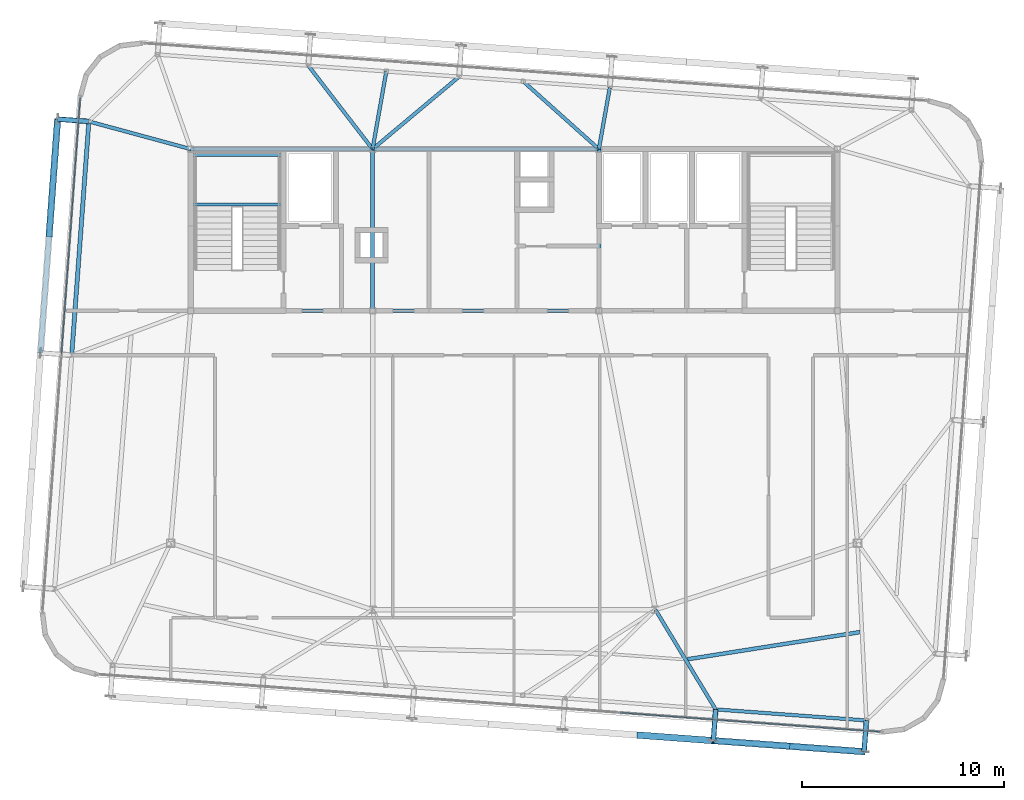
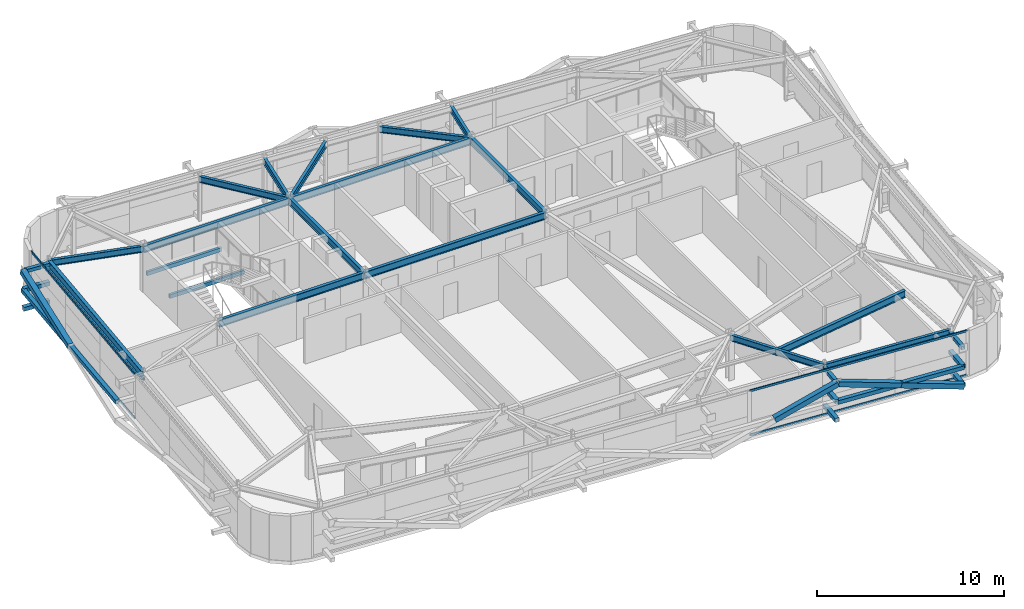
# One storey, part 14 of 34: 19 members, 18 beams, 2 elements without a shape of their own.
"""IFC4 building model written with IfcOpenShell, lengths in metres."""

from ifc_helpers import new_model, si_unit, direction, frame, origin, origin_2d, place, context, subcontext, project, spatial, hollow_rectangle, i_section, extrude, source, transform, mapped, material, layer, layer_set, material_profile, profile_set, type_object, element, aggregate, save


model = new_model("IFC4")

# Units and contexts
model_context = context("Model", 3, precision=1e-05, world=origin(), true_north=direction((0.0, 1.0)))
body_context = subcontext(model_context, "Body", "Model", "MODEL_VIEW")
ifc_project = project(units=[si_unit("LENGTHUNIT", "METRE"), si_unit("AREAUNIT", "SQUARE_METRE"), si_unit("VOLUMEUNIT", "CUBIC_METRE"), si_unit("PLANEANGLEUNIT", "RADIAN"), si_unit("MASSUNIT", "GRAM", prefix="KILO")], contexts=[model_context])

# Site, building, storey
site_placement = place(None, origin())
site = spatial("IfcSite", under=ifc_project, at=site_placement, CompositionType="ELEMENT")
building_placement = place(site_placement, origin())
building = spatial("IfcBuilding", under=site, at=building_placement, Name="Taldren Reach Tower", CompositionType="ELEMENT")
storey_placement = place(building_placement, frame((0.0, 0.0, 239.75)))
storey = spatial("IfcBuildingStorey", under=building, at=storey_placement, Name="L73", CompositionType="ELEMENT", Elevation=239.75)

# Beams
ifc_material_1 = material(Name="Steel Gr 350 (350PLUS)", Category="steel")
ifc_material_profile_1 = material_profile(ifc_material_1, i_section(OverallWidth=0.19091796875, OverallDepth=0.4599609375, WebThickness=0.010009765625, FlangeThickness=0.01611328125, at=origin_2d()), Name="460UB82.1")
ifc_profile_set_1 = profile_set([ifc_material_profile_1], Name="Steel Gr 350 (350PLUS)")
beam_type_1 = type_object("IfcBeamType", Name="BM-UB460A", PredefinedType="BEAM", material=ifc_profile_set_1)
shared_shape_1 = source(origin(), body_context, "Body", "SweptSolid", [
    extrude(i_section(OverallWidth=0.19091796875, OverallDepth=0.4599609375, WebThickness=0.010009765625, FlangeThickness=0.01611328125, at=origin_2d()), origin(), (0.0, 0.0, 1.0), 9.0),
])
for number, where, z_axis, x_axis, name in (
    (1, (19.0, 24.0, 2.699951171875), (1.0, 0.0, 0.0), (0.0, 1.0, 0.0), "Core-spine girder L73-SP01"),
    (2, (19.0, 32.0, 2.699951171875), (1.0, 0.0, 0.0), (0.0, 1.0, 0.0), "Core-spine girder L73-SP04"),
):
    element("IfcBeam", number, at=place(storey_placement, frame(where, z_axis=z_axis, x_axis=x_axis)), inside=storey, type_object=beam_type_1, Name=name, PredefinedType="BEAM", context=body_context, shape_type="MappedRepresentation", body=[
        mapped(shared_shape_1, transform((0.0, 0.0, 0.0), scale=1.0)),
    ])
shared_shape_2 = source(origin(), body_context, "Body", "SweptSolid", [
    extrude(i_section(OverallWidth=0.19091796875, OverallDepth=0.4599609375, WebThickness=0.010009765625, FlangeThickness=0.01611328125, at=origin_2d()), origin(), (0.0, 0.0, 1.0), 11.199951171875),
])
for number, where, z_axis, x_axis, name in (
    (3, (28.0, 24.0, 2.699951171875), (1.0, 0.0, 0.0), (0.0, 1.0, 0.0), "Core-spine girder L73-SP02"),
    (4, (28.0, 32.0, 2.699951171875), (1.0, 0.0, 0.0), (0.0, 1.0, 0.0), "Core-spine girder L73-SP05"),
):
    element("IfcBeam", number, at=place(storey_placement, frame(where, z_axis=z_axis, x_axis=x_axis)), inside=storey, type_object=beam_type_1, Name=name, PredefinedType="BEAM", context=body_context, shape_type="MappedRepresentation", body=[
        mapped(shared_shape_2, transform((0.0, 0.0, 0.0), scale=1.0)),
    ])
shared_shape_3 = source(origin(), body_context, "Body", "SweptSolid", [
    extrude(i_section(OverallWidth=0.19091796875, OverallDepth=0.4599609375, WebThickness=0.010009765625, FlangeThickness=0.01611328125, at=origin_2d()), origin(), (0.0, 0.0, 1.0), 8.0),
])
for number, where, z_axis, x_axis, name in (
    (5, (28.0, 24.0, 2.699951171875), (0.0, 1.0, 0.0), (-1.0, 0.0, 0.0), "Core-spine girder L73-SP07"),
    (6, (39.199951171875, 24.0, 2.699951171875), (0.0, 1.0, 0.0), (-1.0, 0.0, 0.0), "Core-spine girder L73-SP08"),
):
    element("IfcBeam", number, at=place(storey_placement, frame(where, z_axis=z_axis, x_axis=x_axis)), inside=storey, type_object=beam_type_1, Name=name, PredefinedType="BEAM", context=body_context, shape_type="MappedRepresentation", body=[
        mapped(shared_shape_3, transform((0.0, 0.0, 0.0), scale=1.0)),
    ])

# Members
ifc_material_2 = material(Name="Steel Gr 350 (C350L0)", Category="steel")
ifc_material_profile_2 = material_profile(ifc_material_2, hollow_rectangle(XDim=0.25, YDim=0.25, WallThickness=0.010009765625, at=origin_2d()), Name="250x250x10.0SHS")
ifc_profile_set_2 = profile_set([ifc_material_profile_2], Name="Steel Gr 350 (C350L0)")
member_type_1 = type_object("IfcMemberType", Name="MB-POST250", PredefinedType="POST", material=ifc_profile_set_2)
shared_shape_4 = source(origin(), body_context, "Body", "SweptSolid", [
    extrude(hollow_rectangle(XDim=0.25, YDim=0.25, WallThickness=0.010009765625, at=origin_2d()), origin(), (0.0, 0.0, 1.0), 1.550048828125),
])
for number, where, z_axis, x_axis, name in (
    (7, (44.980224609375, 4.26904296875, 0.219970703125), (-0.07323929162, -0.997314396849, 0.0), (0.997314396849, -0.07323929162, 0.0), "Exoskeleton base diaphragm tie strut B5-S5 L73"),
    (8, (52.440185546875, 3.72119140625, 0.219970703125), (-0.07323929162, -0.997314396849, 0.0), (0.997314396849, -0.07323929162, 0.0), "Exoskeleton base diaphragm tie strut B5-S6 L73"),
    (9, (44.980224609375, 4.26904296875, 1.43505859375), (-0.07323929162, -0.997314396849, 0.0), (0.997314396849, -0.07323929162, 0.0), "Exoskeleton mid-tier diaphragm tie B5-S5 L73"),
    (10, (52.440185546875, 3.72119140625, 1.43505859375), (-0.07323929162, -0.997314396849, 0.0), (0.997314396849, -0.07323929162, 0.0), "Exoskeleton mid-tier diaphragm tie B5-S6 L73"),
):
    element("IfcMember", number, at=place(storey_placement, frame(where, z_axis=z_axis, x_axis=x_axis)), inside=storey, type_object=member_type_1, Name=name, PredefinedType="POST", context=body_context, shape_type="MappedRepresentation", body=[
        mapped(shared_shape_4, transform((0.0, 0.0, 0.0), scale=1.0)),
    ])
ifc_material_3 = material(Name="Steel Gr 450 (C450L0)", Category="steel")
ifc_material_profile_3 = material_profile(ifc_material_3, hollow_rectangle(XDim=0.219970703125, YDim=0.219970703125, WallThickness=0.00830078125, at=origin_2d()), Name="220x220x8.2SHS")
ifc_profile_set_3 = profile_set([ifc_material_profile_3], Name="Steel Gr 450 (C450L0)")
member_type_2 = type_object("IfcMemberType", Name="MB-TIE219", PredefinedType="STRUT", material=ifc_profile_set_3)
shared_shape_5 = source(origin(), body_context, "Body", "SweptSolid", [
    extrude(hollow_rectangle(XDim=0.219970703125, YDim=0.219970703125, WallThickness=0.00830078125, at=origin_2d()), origin(), (0.0, 0.0, 1.0), 1.550048828125),
])
for number, where, z_axis, x_axis, name in (
    (11, (44.980224609375, 4.26904296875, 2.64990234375), (-0.07323929162, -0.997314396849, 0.0), (0.997314396849, -0.07323929162, 0.0), "Exoskeleton diaphragm tie strut B5-S5 L73"),
    (12, (52.440185546875, 3.72119140625, 2.64990234375), (-0.07323929162, -0.997314396849, 0.0), (0.997314396849, -0.07323929162, 0.0), "Exoskeleton diaphragm tie strut B5-S6 L73"),
):
    element("IfcMember", number, at=place(storey_placement, frame(where, z_axis=z_axis, x_axis=x_axis)), inside=storey, type_object=member_type_2, Name=name, PredefinedType="STRUT", context=body_context, shape_type="MappedRepresentation", body=[
        mapped(shared_shape_5, transform((0.0, 0.0, 0.0), scale=1.0)),
    ])

# Beams
ifc_material_profile_4 = material_profile(ifc_material_1, i_section(OverallWidth=0.172119140625, OverallDepth=0.35888671875, WebThickness=0.008056640625, FlangeThickness=0.012939453125, at=origin_2d()), Name="360UB56.7")
ifc_profile_set_4 = profile_set([ifc_material_profile_4], Name="Steel Gr 350 (350PLUS)")
beam_type_2 = type_object("IfcBeamType", Name="SP-UB360", PredefinedType="SPANDREL", material=ifc_profile_set_4)
shared_shape_6 = source(origin(), body_context, "Body", "SweptSolid", [
    extrude(i_section(OverallWidth=0.172119140625, OverallDepth=0.35888671875, WebThickness=0.008056640625, FlangeThickness=0.012939453125, at=origin_2d()), origin(), (0.0, 0.0, 1.0), 7.47998046875),
])
beam_1_placement = place(storey_placement, frame((44.980224609375, 4.26904296875, 2.75048828125), z_axis=(0.997314220642, -0.07324169103, 0.0), x_axis=(0.07324169103, 0.997314220642, 0.0)))
element("IfcBeam", 13, at=beam_1_placement, inside=storey, type_object=beam_type_2, Name="Perimeter spandrel B5 S5-S6 L73", PredefinedType="SPANDREL", context=body_context, shape_type="MappedRepresentation", body=[
    mapped(shared_shape_6, transform((0.0, 0.0, 0.0), scale=1.0)),
])
ifc_material_profile_5 = material_profile(ifc_material_1, i_section(OverallWidth=0.208984375, OverallDepth=0.528076171875, WebThickness=0.009521484375, FlangeThickness=0.01318359375, at=origin_2d()), Name="530UB82.0")
ifc_profile_set_5 = profile_set([ifc_material_profile_5], Name="Steel Gr 350 (350PLUS)")
beam_type_3 = type_object("IfcBeamType", Name="SP-UB530B", PredefinedType="SPANDREL", material=ifc_profile_set_5)
shared_shape_7 = source(origin(), body_context, "Body", "SweptSolid", [
    extrude(i_section(OverallWidth=0.208984375, OverallDepth=0.528076171875, WebThickness=0.009521484375, FlangeThickness=0.01318359375, at=origin_2d()), origin(), (0.0, 0.0, 1.0), 11.60009765625),
])
beam_2_placement = place(storey_placement, frame((13.958251953125, 33.369140625, 2.666015625), z_axis=(-0.073242167855, -0.997314185625, 0.0), x_axis=(0.997314185625, -0.073242167855, 0.0)))
element("IfcBeam", 14, at=beam_2_placement, inside=storey, type_object=beam_type_3, Name="Perimeter spandrel B5 W3-W2 L73", PredefinedType="SPANDREL", context=body_context, shape_type="MappedRepresentation", body=[
    mapped(shared_shape_7, transform((0.0, 0.0, 0.0), scale=1.0)),
])
ifc_material_profile_6 = material_profile(ifc_material_1, i_section(OverallWidth=0.177978515625, OverallDepth=0.406005859375, WebThickness=0.0078125, FlangeThickness=0.0126953125, at=origin_2d()), Name="410UB59.7")
ifc_profile_set_6 = profile_set([ifc_material_profile_6], Name="Steel Gr 350 (350PLUS)")
beam_type_4 = type_object("IfcBeamType", Name="BM-UB410", PredefinedType="BEAM", material=ifc_profile_set_6)
shared_shape_8 = source(origin(), body_context, "Body", "SweptSolid", [
    extrude(i_section(OverallWidth=0.177978515625, OverallDepth=0.406005859375, WebThickness=0.0078125, FlangeThickness=0.0126953125, at=origin_2d()), origin(), (0.0, 0.0, 1.0), 5.761474609375),
])
beam_3_placement = place(storey_placement, frame((42.0, 9.199951171875, 2.72705078125), z_axis=(0.517259852514, -0.855828396922, 0.0), x_axis=(0.855828396922, 0.517259852514, 0.0)))
element("IfcBeam", 15, at=beam_3_placement, inside=storey, type_object=beam_type_4, Name="Primary floor girder B5-S5 L73", PredefinedType="BEAM", context=body_context, shape_type="MappedRepresentation", body=[
    mapped(shared_shape_8, transform((0.0, 0.0, 0.0), scale=1.0)),
])
shared_shape_9 = source(origin(), body_context, "Body", "SweptSolid", [
    extrude(i_section(OverallWidth=0.177978515625, OverallDepth=0.406005859375, WebThickness=0.0078125, FlangeThickness=0.0126953125, at=origin_2d()), origin(), (0.0, 0.0, 1.0), 3.0830078125),
])
beam_4_placement = place(storey_placement, frame((39.199951171875, 32.0, 2.72705078125), z_axis=(0.17500945263, 0.984566753191, 0.0), x_axis=(-0.984566753191, 0.17500945263, 0.0)))
element("IfcBeam", 16, at=beam_4_placement, inside=storey, type_object=beam_type_4, Name="Primary floor girder B5-N4 L73", PredefinedType="BEAM", context=body_context, shape_type="MappedRepresentation", body=[
    mapped(shared_shape_9, transform((0.0, 0.0, 0.0), scale=1.0)),
])
shared_shape_10 = source(origin(), body_context, "Body", "SweptSolid", [
    extrude(i_section(OverallWidth=0.177978515625, OverallDepth=0.406005859375, WebThickness=0.0078125, FlangeThickness=0.0126953125, at=origin_2d()), origin(), (0.0, 0.0, 1.0), 5.02001953125),
])
beam_5_placement = place(storey_placement, frame((39.199951171875, 32.0, 2.72705078125), z_axis=(-0.744827782377, 0.667256753132, 0.0), x_axis=(-0.667256753132, -0.744827782377, 0.0)))
element("IfcBeam", 17, at=beam_5_placement, inside=storey, type_object=beam_type_4, Name="Primary floor girder B5-PJN2 L73", PredefinedType="BEAM", context=body_context, shape_type="MappedRepresentation", body=[
    mapped(shared_shape_10, transform((0.0, 0.0, 0.0), scale=1.0)),
])
shared_shape_11 = source(origin(), body_context, "Body", "SweptSolid", [
    extrude(i_section(OverallWidth=0.177978515625, OverallDepth=0.406005859375, WebThickness=0.0078125, FlangeThickness=0.0126953125, at=origin_2d()), origin(), (0.0, 0.0, 1.0), 5.58154296875),
])
beam_6_placement = place(storey_placement, frame((28.0, 32.0, 2.72705078125), z_axis=(0.766724126108, 0.641976724222, 0.0), x_axis=(-0.641976724222, 0.766724126108, 0.0)))
element("IfcBeam", 18, at=beam_6_placement, inside=storey, type_object=beam_type_4, Name="Primary floor girder B5-N3 L73", PredefinedType="BEAM", context=body_context, shape_type="MappedRepresentation", body=[
    mapped(shared_shape_11, transform((0.0, 0.0, 0.0), scale=1.0)),
])
shared_shape_12 = source(origin(), body_context, "Body", "SweptSolid", [
    extrude(i_section(OverallWidth=0.177978515625, OverallDepth=0.406005859375, WebThickness=0.0078125, FlangeThickness=0.0126953125, at=origin_2d()), origin(), (0.0, 0.0, 1.0), 3.9072265625),
])
beam_7_placement = place(storey_placement, frame((28.0, 32.0, 2.72705078125), z_axis=(0.173835238379, 0.984774750843, 0.0), x_axis=(-0.984774750843, 0.173835238379, 0.0)))
element("IfcBeam", 19, at=beam_7_placement, inside=storey, type_object=beam_type_4, Name="Primary floor girder B5-PJN1 L73", PredefinedType="BEAM", context=body_context, shape_type="MappedRepresentation", body=[
    mapped(shared_shape_12, transform((0.0, 0.0, 0.0), scale=1.0)),
])
shared_shape_13 = source(origin(), body_context, "Body", "SweptSolid", [
    extrude(i_section(OverallWidth=0.177978515625, OverallDepth=0.406005859375, WebThickness=0.0078125, FlangeThickness=0.0126953125, at=origin_2d()), origin(), (0.0, 0.0, 1.0), 5.213623046875),
])
beam_8_placement = place(storey_placement, frame((28.0, 32.0, 2.72705078125), z_axis=(-0.61002980411, 0.792378468976, 0.0), x_axis=(-0.792378468976, -0.61002980411, 0.0)))
element("IfcBeam", 20, at=beam_8_placement, inside=storey, type_object=beam_type_4, Name="Primary floor girder B5-N2 L73", PredefinedType="BEAM", context=body_context, shape_type="MappedRepresentation", body=[
    mapped(shared_shape_13, transform((0.0, 0.0, 0.0), scale=1.0)),
])
shared_shape_14 = source(origin(), body_context, "Body", "SweptSolid", [
    extrude(i_section(OverallWidth=0.177978515625, OverallDepth=0.406005859375, WebThickness=0.0078125, FlangeThickness=0.0126953125, at=origin_2d()), origin(), (0.0, 0.0, 1.0), 5.224365234375),
])
beam_9_placement = place(storey_placement, frame((19.0, 32.0, 2.72705078125), z_axis=(-0.965049032336, 0.262069390022, 0.0), x_axis=(-0.262069390022, -0.965049032336, 0.0)))
element("IfcBeam", 21, at=beam_9_placement, inside=storey, type_object=beam_type_4, Name="Primary floor girder B5-W3 L73", PredefinedType="BEAM", context=body_context, shape_type="MappedRepresentation", body=[
    mapped(shared_shape_14, transform((0.0, 0.0, 0.0), scale=1.0)),
])
shared_shape_15 = source(origin(), body_context, "Body", "SweptSolid", [
    extrude(i_section(OverallWidth=0.19091796875, OverallDepth=0.4599609375, WebThickness=0.010009765625, FlangeThickness=0.01611328125, at=origin_2d()), origin(), (0.0, 0.0, 1.0), 8.65185546875),
])
beam_10_placement = place(storey_placement, frame((43.585205078125, 6.74951171875, 2.699951171875), z_axis=(0.987803200413, 0.155707537562, 0.0), x_axis=(-0.155707537562, 0.987803200413, 0.0)))
element("IfcBeam", 22, at=beam_10_placement, inside=storey, type_object=beam_type_1, Name="Secondary floor beam B5 J5 L73", PredefinedType="BEAM", context=body_context, shape_type="MappedRepresentation", body=[
    mapped(shared_shape_15, transform((0.0, 0.0, 0.0), scale=1.0)),
])

# Members
shared_shape_16 = source(origin(), body_context, "Body", "SweptSolid", [
    extrude(hollow_rectangle(XDim=0.219970703125, YDim=0.219970703125, WallThickness=0.00830078125, at=origin_2d()), origin(), (0.0, 0.0, 1.0), 1.5458984375),
])
member_1_placement = place(storey_placement, frame((13.9541015625, 33.369384765625, 2.64990234375), z_axis=(-0.997311530447, 0.073278313559, 0.0), x_axis=(-0.073278313559, -0.997311530447, 0.0)))
element("IfcMember", 23, at=member_1_placement, inside=storey, type_object=member_type_2, Name="Exoskeleton diaphragm tie strut B5-W3 L73", PredefinedType="STRUT", context=body_context, shape_type="MappedRepresentation", body=[
    mapped(shared_shape_16, transform((0.0, 0.0, 0.0), scale=1.0)),
])
ifc_material_profile_7 = material_profile(ifc_material_3, hollow_rectangle(XDim=0.324951171875, YDim=0.324951171875, WallThickness=0.0126953125, at=origin_2d()), Name="325x325x12.7SHS")
ifc_profile_set_7 = profile_set([ifc_material_profile_7], Name="Steel Gr 450 (C450L0)")
member_type_3 = type_object("IfcMemberType", Name="MB-BR324", PredefinedType="BRACE", material=ifc_profile_set_7)
shared_shape_17 = source(origin(), body_context, "Body", "SweptSolid", [
    extrude(hollow_rectangle(XDim=0.324951171875, YDim=0.324951171875, WallThickness=0.0126953125, at=origin_2d()), origin(), (0.0, 0.0, 1.0), 3.932373046875),
])
for number, where, z_axis, x_axis, name in (
    (24, (41.13671875, 2.9970703125, 1.43505859375), (0.948529326954, -0.06965898055, 0.308933232813), (0.07324169103, 0.997314220642, 0.0), "Exoskeleton Diagrid Brace B5-S4 L73"),
    (25, (52.32666015625, 2.17529296875, 0.219970703125), (-0.948511132845, 0.069657644394, 0.308989390507), (-0.07324169103, -0.997314220642, 0.0), "Exoskeleton Diagrid Brace B5-S5 L73"),
    (26, (48.5966796875, 2.44921875, 1.43505859375), (-0.948529326954, 0.06965898055, 0.308933232813), (-0.07324169103, -0.997314220642, 0.0), "Exoskeleton Diagrid Brace B5-S5 L73"),
):
    element("IfcMember", number, at=place(storey_placement, frame(where, z_axis=z_axis, x_axis=x_axis)), inside=storey, type_object=member_type_3, Name=name, PredefinedType="BRACE", context=body_context, shape_type="MappedRepresentation", body=[
        mapped(shared_shape_17, transform((0.0, 0.0, 0.0), scale=1.0)),
    ])
shared_shape_18 = source(origin(), body_context, "Body", "SweptSolid", [
    extrude(hollow_rectangle(XDim=0.25, YDim=0.25, WallThickness=0.010009765625, at=origin_2d()), origin(), (0.0, 0.0, 1.0), 7.47998046875),
])
member_2_placement = place(storey_placement, frame((44.86669921875, 2.72314453125, 1.43505859375), z_axis=(0.997314220642, -0.07324169103, 0.0), x_axis=(0.07324169103, 0.997314220642, 0.0)))
element("IfcMember", 27, at=member_2_placement, inside=storey, type_object=member_type_1, Name="Exoskeleton mid-height ring chord B5-S5 L73", PredefinedType="POST", context=body_context, shape_type="MappedRepresentation", body=[
    mapped(shared_shape_18, transform((0.0, 0.0, 0.0), scale=1.0)),
])
shared_shape_19 = source(origin(), body_context, "Body", "SweptSolid", [
    extrude(hollow_rectangle(XDim=0.324951171875, YDim=0.324951171875, WallThickness=0.0126953125, at=origin_2d()), origin(), (0.0, 0.0, 1.0), 5.92578125),
])
member_3_placement = place(storey_placement, frame((11.987548828125, 27.6982421875, 1.43505859375), z_axis=(0.071686540919, 0.976131732187, 0.205007027365), x_axis=(-0.997314185625, 0.073242167855, 0.0)))
element("IfcMember", 28, at=member_3_placement, inside=storey, type_object=member_type_3, Name="Exoskeleton Diagrid Brace B5-W2 L73", PredefinedType="BRACE", context=body_context, shape_type="MappedRepresentation", body=[
    mapped(shared_shape_19, transform((0.0, 0.0, 0.0), scale=1.0)),
])
shared_shape_20 = source(origin(), body_context, "Body", "SweptSolid", [
    extrude(hollow_rectangle(XDim=0.25, YDim=0.25, WallThickness=0.010009765625, at=origin_2d()), origin(), (0.0, 0.0, 1.0), 11.60009765625),
])
member_4_placement = place(storey_placement, frame((11.562744140625, 21.913818359375, 1.43505859375), z_axis=(0.073242167855, 0.997314185625, 0.0), x_axis=(-0.997314185625, 0.073242167855, 0.0)))
element("IfcMember", 29, at=member_4_placement, inside=storey, type_object=member_type_1, Name="Exoskeleton mid-height ring chord B5-W2 L73", PredefinedType="POST", context=body_context, shape_type="MappedRepresentation", body=[
    mapped(shared_shape_20, transform((0.0, 0.0, 0.0), scale=1.0)),
])
shared_shape_21 = source(origin(), body_context, "Body", "SweptSolid", [
    extrude(hollow_rectangle(XDim=0.25, YDim=0.25, WallThickness=0.010009765625, at=origin_2d()), origin(), (0.0, 0.0, 1.0), 1.5458984375),
])
for number, where, z_axis, x_axis, name in (
    (30, (13.9541015625, 33.369384765625, 0.219970703125), (-0.997311530447, 0.073278313559, 0.0), (-0.073278313559, -0.997311530447, 0.0), "Exoskeleton base diaphragm tie strut B5-W3 L73"),
    (31, (13.9541015625, 33.369384765625, 1.43505859375), (-0.997311530447, 0.073278313559, 0.0), (-0.073278313559, -0.997311530447, 0.0), "Exoskeleton mid-tier diaphragm tie B5-W3 L73"),
):
    element("IfcMember", number, at=place(storey_placement, frame(where, z_axis=z_axis, x_axis=x_axis)), inside=storey, type_object=member_type_1, Name=name, PredefinedType="POST", context=body_context, shape_type="MappedRepresentation", body=[
        mapped(shared_shape_21, transform((0.0, 0.0, 0.0), scale=1.0)),
    ])

# Curtain wall, members
ifc_material_4 = material(Name="Aluminium and Low-E Glass Unitised System", Category="aluminium")
ifc_layer = layer(ifc_material_4, 0.159912109375)
ifc_layer_set = layer_set([ifc_layer], Name="Aluminium and Low-E Glass Unitised System")
curtain_wall_type = type_object("IfcCurtainWallType", Name="CW-SYS-6", PredefinedType="NOTDEFINED", material=ifc_layer_set)
curtain_wall_1_placement = place(storey_placement, origin())
curtain_wall_1 = element("IfcCurtainWall", 32, at=curtain_wall_1_placement, inside=storey, type_object=curtain_wall_type, Name="Unitised curtain wall CW-L73-S", PredefinedType="NOTDEFINED")
ifc_material_5 = material(Name="Anodised Aluminium 6063-T6", Category="aluminium")
ifc_material_profile_8 = material_profile(ifc_material_5, hollow_rectangle(XDim=0.06005859375, YDim=0.135009765625, WallThickness=0.00341796875, at=origin_2d()), Name="ALU-135x60x3.5RHS")
ifc_profile_set_8 = profile_set([ifc_material_profile_8], Name="Anodised Aluminium 6063-T6")
member_type_4 = type_object("IfcMemberType", Name="CW-TRN-150", PredefinedType="USERDEFINED", material=ifc_profile_set_8)
shared_shape_22 = source(origin(), body_context, "Body", "SweptSolid", [
    extrude(hollow_rectangle(XDim=0.06005859375, YDim=0.135009765625, WallThickness=0.00341796875, at=origin_2d()), origin(), (0.0, 0.0, 1.0), 12.8876953125),
])
member_5_placement = place(storey_placement, frame((40.27294921875, 4.103271484375, 0.030029296875), z_axis=(0.997314588711, -0.073236678949, 0.0), x_axis=(0.073236678949, 0.997314588711, 0.0)))
member_5 = element("IfcMember", 33, at=member_5_placement, type_object=member_type_4, Name="CW-6 transom 3.1", ObjectType="TRANSOM", PredefinedType="USERDEFINED", context=body_context, shape_type="MappedRepresentation", body=[
    mapped(shared_shape_22, transform((0.0, 0.0, 0.0), scale=1.0)),
])
member_6_placement = place(storey_placement, frame((40.27294921875, 4.103271484375, 2.89990234375), z_axis=(0.997314588711, -0.073236678949, 0.0), x_axis=(0.073236678949, 0.997314588711, 0.0)))
member_6 = element("IfcMember", 34, at=member_6_placement, type_object=member_type_4, Name="CW-6 transom 3.2", ObjectType="TRANSOM", PredefinedType="USERDEFINED", context=body_context, shape_type="MappedRepresentation", body=[
    mapped(shared_shape_22, transform((0.0, 0.0, 0.0), scale=1.0)),
])
aggregate(curtain_wall_1, [member_5, member_6])

curtain_wall_2_placement = place(storey_placement, origin())
curtain_wall_2 = element("IfcCurtainWall", 35, at=curtain_wall_2_placement, inside=storey, type_object=curtain_wall_type, Name="Unitised curtain wall CW-L73-W", PredefinedType="NOTDEFINED")
shared_shape_23 = source(origin(), body_context, "Body", "SweptSolid", [
    extrude(hollow_rectangle(XDim=0.06005859375, YDim=0.135009765625, WallThickness=0.00341796875, at=origin_2d()), origin(), (0.0, 0.0, 1.0), 12.6875),
])
member_7_placement = place(storey_placement, frame((13.531982421875, 34.5283203125, 0.030029296875), z_axis=(-0.073237997916, -0.997314491854, 0.0), x_axis=(0.997314491854, -0.073237997916, 0.0)))
member_7 = element("IfcMember", 36, at=member_7_placement, type_object=member_type_4, Name="CW-6 transom 1.1", ObjectType="TRANSOM", PredefinedType="USERDEFINED", context=body_context, shape_type="MappedRepresentation", body=[
    mapped(shared_shape_23, transform((0.0, 0.0, 0.0), scale=1.0)),
])
member_8_placement = place(storey_placement, frame((13.531982421875, 34.5283203125, 2.89990234375), z_axis=(-0.073237997916, -0.997314491854, 0.0), x_axis=(0.997314491854, -0.073237997916, 0.0)))
member_8 = element("IfcMember", 37, at=member_8_placement, type_object=member_type_4, Name="CW-6 transom 1.2", ObjectType="TRANSOM", PredefinedType="USERDEFINED", context=body_context, shape_type="MappedRepresentation", body=[
    mapped(shared_shape_23, transform((0.0, 0.0, 0.0), scale=1.0)),
])
aggregate(curtain_wall_2, [member_7, member_8])

# Beams
ifc_material_profile_9 = material_profile(ifc_material_2, hollow_rectangle(XDim=0.14990234375, YDim=0.25, WallThickness=0.009033203125, at=origin_2d()), Name="250x150x9.0RHS")
ifc_profile_set_9 = profile_set([ifc_material_profile_9], Name="Steel Gr 350 (C350L0)")
beam_type_5 = type_object("IfcBeamType", Name="LN-RHS250", PredefinedType="LINTEL", material=ifc_profile_set_9)
shared_shape_24 = source(origin(), body_context, "Body", "SweptSolid", [
    extrude(hollow_rectangle(XDim=0.14990234375, YDim=0.25, WallThickness=0.009033203125, at=origin_2d()), origin(), (0.0, 0.0, 1.0), 4.60009765625),
])
for number, where, z_axis, x_axis, name in (
    (38, (19.0, 29.2548828125, 1.27001953125), (1.0, 0.0, 0.0), (0.0, 1.0, 0.0), "Stair half-landing support beam ST1-L73-1"),
    (39, (19.0, 31.699951171875, 1.27001953125), (1.0, 0.0, 0.0), (0.0, 1.0, 0.0), "Stair half-landing support beam ST1-L73-2"),
):
    element("IfcBeam", number, at=place(storey_placement, frame(where, z_axis=z_axis, x_axis=x_axis)), inside=storey, type_object=beam_type_5, Name=name, PredefinedType="LINTEL", context=body_context, shape_type="MappedRepresentation", body=[
        mapped(shared_shape_24, transform((0.0, 0.0, 0.0), scale=1.0)),
    ])

save(model, "model.ifc")
